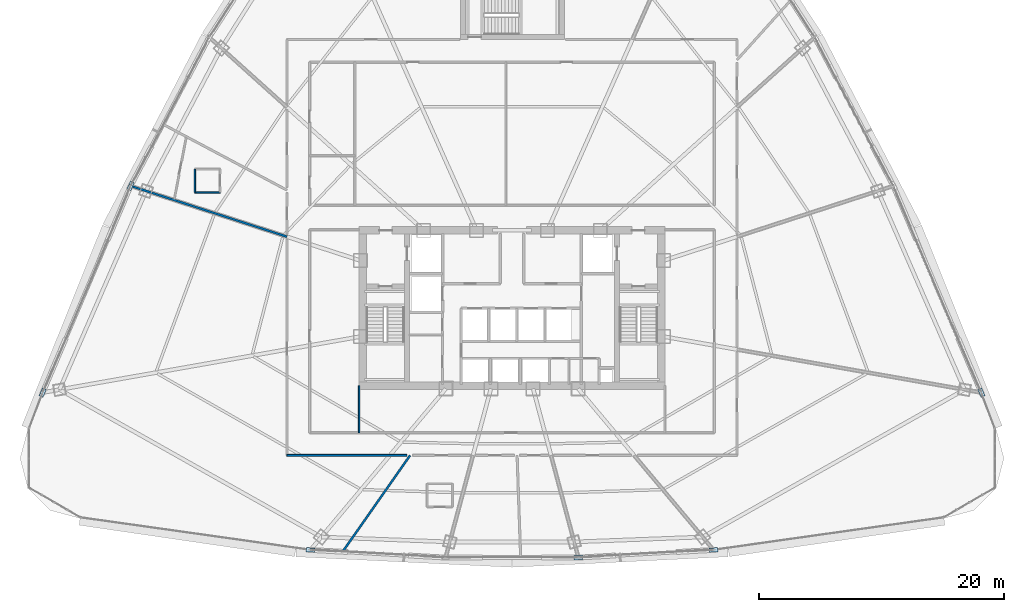
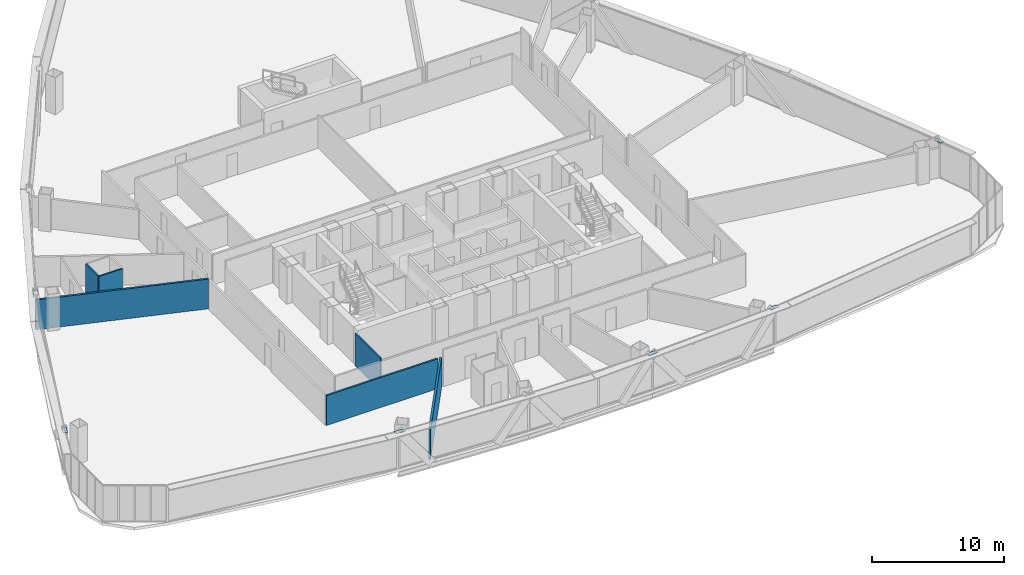
# One storey, part 33 of 41: 6 plates, 6 walls.
"""IFC4 building model written with IfcOpenShell, lengths in metres."""

from ifc_helpers import new_model, si_unit, direction, frame, frame_2d, origin, origin_2d, place, context, subcontext, project, spatial, rectangle, extrude, source, transform, mapped, material, layer, layer_set, type_object, element, save


model = new_model("IFC4")

# Units and contexts
model_context = context("Model", 3, precision=1e-05, world=origin(), true_north=direction((0.0, 1.0)))
body_context = subcontext(model_context, "Body", "Model", "MODEL_VIEW")
ifc_project = project(units=[si_unit("LENGTHUNIT", "METRE"), si_unit("AREAUNIT", "SQUARE_METRE"), si_unit("VOLUMEUNIT", "CUBIC_METRE"), si_unit("PLANEANGLEUNIT", "RADIAN"), si_unit("MASSUNIT", "GRAM", prefix="KILO"), si_unit("THERMODYNAMICTEMPERATUREUNIT", "KELVIN"), si_unit("POWERUNIT", "WATT")], contexts=[model_context])

# Site, building, storey
site_placement = place(None, origin())
site = spatial("IfcSite", under=ifc_project, at=site_placement, CompositionType="ELEMENT")
building_placement = place(site_placement, origin())
building = spatial("IfcBuilding", under=site, at=building_placement, Name="Yunzhuo Pagoda Commons", CompositionType="ELEMENT")
storey_placement = place(building_placement, frame((0.0, 0.0, 155.590087890625)))
storey = spatial("IfcBuildingStorey", under=building, at=storey_placement, Name="L39", CompositionType="ELEMENT", Elevation=155.590087890625)

# Plates
ifc_material_1 = material(Name="Structural steel Q355B", Category="steel")
ifc_layer_1 = layer(ifc_material_1, 0.028076171875)
ifc_layer_set_1 = layer_set([ifc_layer_1], Name="Structural steel Q355B")
plate_type = type_object("IfcPlateType", Name="SP-ND1 Lattice Node Cap Plate 800x500x28", PredefinedType="USERDEFINED", material=ifc_layer_set_1)
shared_shape = source(origin(), body_context, "Body", "SweptSolid", [
    extrude(rectangle(XDim=0.699951171875, YDim=0.35009765625, at=origin_2d()), origin(), (0.0, 0.0, 1.0), 0.035888671875),
])
for number, where, z_axis, x_axis, name in (
    (1, (31.527099609375, 14.068603515625, 3.3818359375), (0.0, 0.0, 1.0), (0.998404508044, -0.056466258222, 0.0), "L39 setback lattice tie plate F1.1L"),
    (2, (53.427490234375, 13.44384765625, 3.3818359375), (0.0, 0.0, 1.0), (0.998404508044, 0.056466258222, 0.0), "L39 setback lattice tie plate F1.3L"),
    (3, (64.472900390625, 14.068603515625, 3.3818359375), (0.0, 0.0, 1.0), (0.998404508044, 0.056466258222, 0.0), "L39 setback lattice tie plate F1.3R"),
    (4, (86.3701171875, 26.934326171875, 3.3818359375), (0.0, 0.0, 1.0), (-0.39140578875, 0.920218185287, 0.0), "L39 setback lattice tie plate F2.1L"),
    (5, (16.817138671875, 43.831787109375, 3.3818359375), (0.0, 0.0, 1.0), (-0.39140578875, -0.920218185287, 0.0), "L39 setback lattice tie plate F3.3L"),
    (6, (9.6298828125, 26.934326171875, 3.3818359375), (0.0, 0.0, 1.0), (-0.39140578875, -0.920218185287, 0.0), "L39 setback lattice tie plate F3.3R"),
):
    element("IfcPlate", number, at=place(storey_placement, frame(where, z_axis=z_axis, x_axis=x_axis)), inside=storey, type_object=plate_type, Name=name, ObjectType="STIFFENER_PLATE", PredefinedType="USERDEFINED", context=body_context, shape_type="MappedRepresentation", body=[
        mapped(shared_shape, transform((0.0, 0.0, 0.0), scale=1.0)),
    ])

# Walls
ifc_material_2 = material(Name="Gypsum plasterboard on acoustic stud")
ifc_layer_2 = layer(ifc_material_2, 0.155029296875)
ifc_layer_set_2 = layer_set([ifc_layer_2], Name="Gypsum plasterboard on acoustic stud")
wall_type_1 = type_object("IfcWallType", Name="W-COR2 Mid-Zone Rated Corridor Wall 155", PredefinedType="PARTITIONING", material=ifc_layer_set_2)
wall_1_placement = place(storey_placement, frame((39.39892578125, 21.800048828125, 0.0), z_axis=(0.0, 0.0, 1.0), x_axis=(-1.0, 0.0, 0.0)))
element("IfcWall", 7, at=wall_1_placement, inside=storey, type_object=wall_type_1, Name="L39 interior wall IW-L39-CWL18", PredefinedType="PARTITIONING", context=body_context, shape_type="SweptSolid", body=[
    extrude(rectangle(XDim=9.798828125, YDim=0.155029296875, at=frame_2d((4.8994140625, 0.0))), origin(), (0.0, 0.0, 1.0), 2.77001953125),
])
ifc_layer_3 = layer(ifc_material_2, 0.1201171875)
ifc_layer_set_3 = layer_set([ifc_layer_3], Name="Gypsum plasterboard on acoustic stud")
wall_type_2 = type_object("IfcWallType", Name="W-PRT1 Suite & Bathroom Partition 120", PredefinedType="PARTITIONING", material=ifc_layer_set_3)
wall_2_placement = place(storey_placement, frame((35.5, 23.64990234375, 0.0), z_axis=(0.0, 0.0, 1.0), x_axis=(0.0, 1.0, 0.0)))
element("IfcWall", 8, at=wall_2_placement, inside=storey, type_object=wall_type_2, Name="L39 interior wall IW-L39-SFLD1", PredefinedType="PARTITIONING", context=body_context, shape_type="SweptSolid", body=[
    extrude(rectangle(XDim=3.85009765625, YDim=0.1201171875, at=frame_2d((1.925048828125, 0.0))), origin(), (0.0, 0.0, 1.0), 3.02001953125),
])
wall_3_placement = place(storey_placement, frame((22.080078125, 43.31005859375, 0.0), z_axis=(0.0, 0.0, 1.0), x_axis=(1.0, 0.0, 0.0)))
element("IfcWall", 9, at=wall_3_placement, inside=storey, type_object=wall_type_2, Name="L39 interior wall IW-L39-B07S", PredefinedType="PARTITIONING", context=body_context, shape_type="SweptSolid", body=[
    extrude(rectangle(XDim=2.0498046875, YDim=0.1201171875, at=frame_2d((1.02490234375, 0.0))), origin(), (0.0, 0.0, 1.0), 3.419921875),
])
wall_4_placement = place(storey_placement, frame((22.080078125, 45.2099609375, 0.0), z_axis=(0.0, 0.0, 1.0), x_axis=(0.0, -1.0, 0.0)))
element("IfcWall", 10, at=wall_4_placement, inside=storey, type_object=wall_type_2, Name="L39 interior wall IW-L39-B07W", PredefinedType="PARTITIONING", context=body_context, shape_type="SweptSolid", body=[
    extrude(rectangle(XDim=1.89990234375, YDim=0.1201171875, at=frame_2d((0.949951171875, 0.0))), origin(), (0.0, 0.0, 1.0), 3.419921875),
])
ifc_layer_4 = layer(ifc_material_2, 0.175048828125)
ifc_layer_set_4 = layer_set([ifc_layer_4], Name="Gypsum plasterboard on acoustic stud")
wall_type_3 = type_object("IfcWallType", Name="W-PRT3 Mid-Zone Demising Wall 175", PredefinedType="PARTITIONING", material=ifc_layer_set_4)
wall_5_placement = place(storey_placement, frame((29.60009765625, 39.678466796875, 0.0), z_axis=(0.0, 0.0, 1.0), x_axis=(-0.951059027278, 0.309009266259, 0.0)))
element("IfcWall", 11, at=wall_5_placement, inside=storey, type_object=wall_type_3, Name="L39 interior wall IW-L39-RAD07", PredefinedType="PARTITIONING", context=body_context, shape_type="SweptSolid", body=[
    extrude(rectangle(XDim=13.440673828125, YDim=0.175048828125, at=frame_2d((6.72021484375, 0.0))), origin(), (0.0, 0.0, 1.0), 2.77001953125),
])
wall_6_placement = place(storey_placement, frame((39.66748046875, 21.800048828125, 0.0), z_axis=(0.0, 0.0, 1.0), x_axis=(-0.573578164834, -0.81915083399, 0.0)))
element("IfcWall", 12, at=wall_6_placement, inside=storey, type_object=wall_type_3, Name="L39 interior wall IW-L39-RAD08", PredefinedType="PARTITIONING", context=body_context, shape_type="SweptSolid", body=[
    extrude(rectangle(XDim=9.61962890625, YDim=0.175048828125, at=frame_2d((4.809814453125, 0.0))), origin(), (0.0, 0.0, 1.0), 2.77001953125),
])

save(model, "model.ifc")
